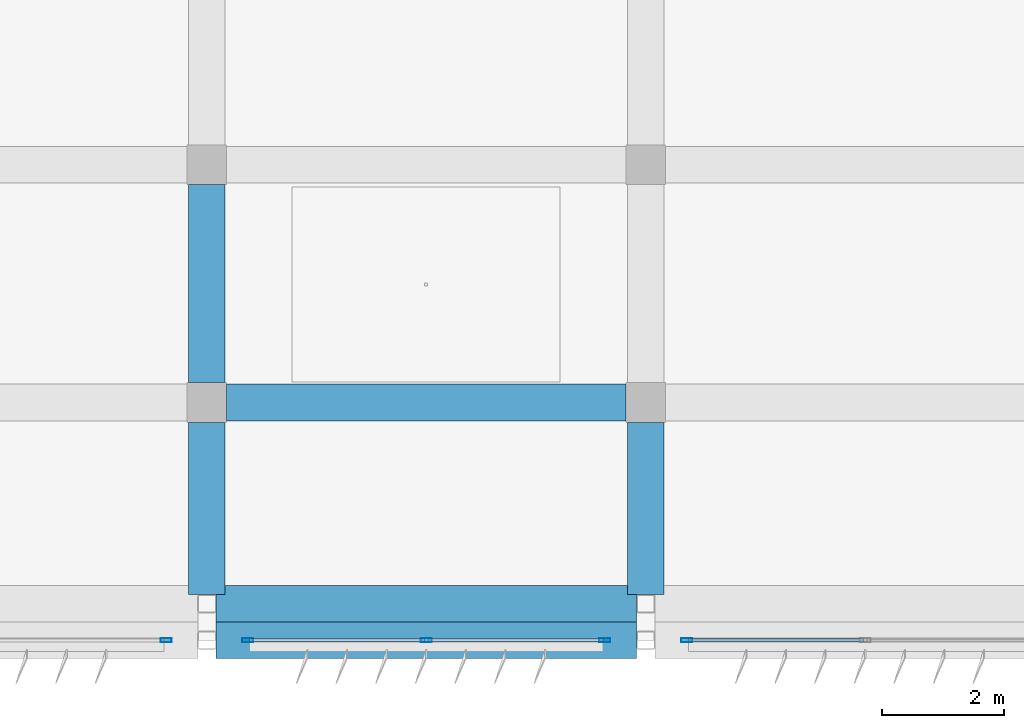
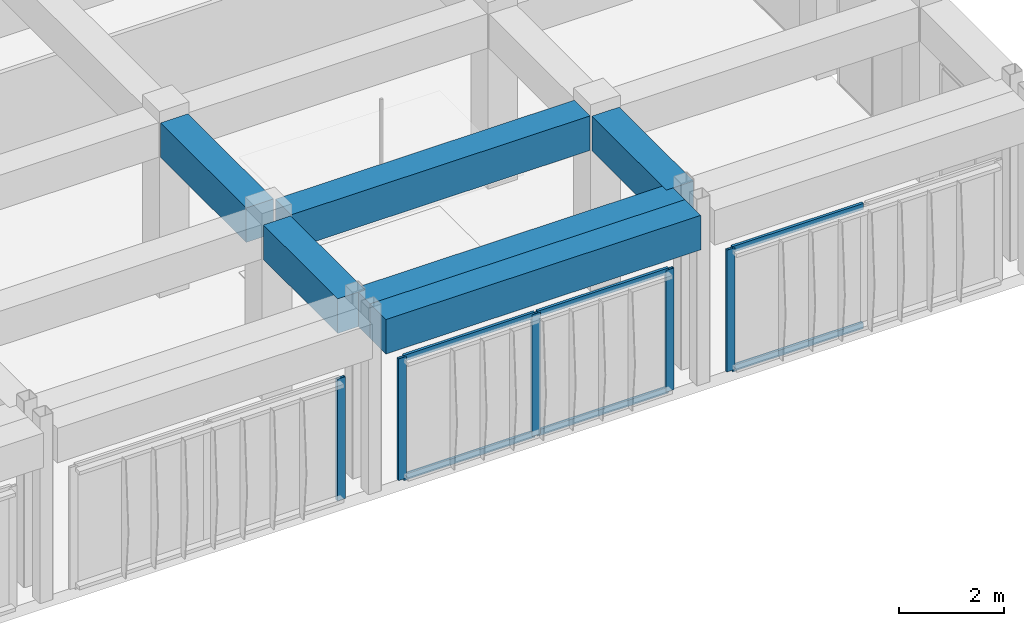
# One storey, part 20 of 53: 11 members, 6 beams, 3 elements without a shape of their own.
"""IFC4 building model written with IfcOpenShell, lengths in metres."""

from ifc_helpers import new_model, si_unit, direction, frame, origin, origin_2d, place, context, subcontext, project, spatial, rectangle, hollow_rectangle, extrude, material, material_profile, profile_set, type_object, element, aggregate, save


model = new_model("IFC4")

# Units and contexts
model_context = context("Model", 3, precision=1e-05, world=origin(), true_north=direction((0.0, 1.0)))
body_context = subcontext(model_context, "Body", "Model", "MODEL_VIEW")
ifc_project = project(units=[si_unit("LENGTHUNIT", "METRE"), si_unit("AREAUNIT", "SQUARE_METRE"), si_unit("VOLUMEUNIT", "CUBIC_METRE"), si_unit("PLANEANGLEUNIT", "RADIAN"), si_unit("MASSUNIT", "GRAM", prefix="KILO")], contexts=[model_context])

# Site, building, storey
site_placement = place(None, origin())
site = spatial("IfcSite", under=ifc_project, at=site_placement, CompositionType="ELEMENT")
building_placement = place(site_placement, origin())
building = spatial("IfcBuilding", under=site, at=building_placement, Name="Kazehaya Institute of Natural Sciences", CompositionType="ELEMENT")
storey_placement = place(building_placement, frame((0.0, 0.0, 33.300048828125)))
storey = spatial("IfcBuildingStorey", under=building, at=storey_placement, Name="L07", CompositionType="ELEMENT", Elevation=33.300048828125)

# Beams
ifc_material_1 = material(Name="Concrete Fc36", Category="concrete")
ifc_material_profile_1 = material_profile(ifc_material_1, rectangle(XDim=0.60009765625, YDim=0.800048828125, at=origin_2d()), Name="RC-600x800")
ifc_profile_set_1 = profile_set([ifc_material_profile_1], Name="Concrete Fc36")
beam_type = type_object("IfcBeamType", Name="BM-G-600x800", PredefinedType="BEAM", material=ifc_profile_set_1)
for number, where, z_axis, x_axis, name in (
    (1, (105.14990234375, 6.199951171875, 3.64990234375), (1.0, 0.0, 0.0), (0.0, 1.0, 0.0), "L07 primary X girder BMX-L07-1050-62"),
    (2, (105.14990234375, 6.800048828125, 3.64990234375), (1.0, 0.0, 0.0), (0.0, 1.0, 0.0), "L07 primary X girder BMX-L07-1050-68"),
):
    element("IfcBeam", number, at=place(storey_placement, frame(where, z_axis=z_axis, x_axis=x_axis)), inside=storey, type_object=beam_type, Name=name, PredefinedType="BEAM", context=body_context, shape_type="SweptSolid", body=[
        extrude(rectangle(XDim=0.60009765625, YDim=0.800048828125, at=origin_2d()), origin(), (0.0, 0.0, 1.0), 6.900146484375),
    ])
beam_1_placement = place(storey_placement, frame((105.324951171875, 10.10009765625, 3.64990234375), z_axis=(1.0, 0.0, 0.0), x_axis=(0.0, 1.0, 0.0)))
element("IfcBeam", 3, at=beam_1_placement, inside=storey, type_object=beam_type, Name="L07 primary X girder BMX-L07-1050-101", PredefinedType="BEAM", context=body_context, shape_type="SweptSolid", body=[
    extrude(rectangle(XDim=0.60009765625, YDim=0.800048828125, at=origin_2d()), origin(), (0.0, 0.0, 1.0), 6.550048828125),
])
beam_2_placement = place(storey_placement, frame((105.0, 6.949951171875, 3.64990234375), z_axis=(0.0, 1.0, 0.0), x_axis=(-1.0, 0.0, 0.0)))
element("IfcBeam", 4, at=beam_2_placement, inside=storey, type_object=beam_type, Name="L07 primary Y girder BMY-L07-1050-68", PredefinedType="BEAM", context=body_context, shape_type="SweptSolid", body=[
    extrude(rectangle(XDim=0.60009765625, YDim=0.800048828125, at=origin_2d()), origin(), (0.0, 0.0, 1.0), 2.824951171875),
])
beam_3_placement = place(storey_placement, frame((105.0, 10.425048828125, 3.64990234375), z_axis=(0.0, 1.0, 0.0), x_axis=(-1.0, 0.0, 0.0)))
element("IfcBeam", 5, at=beam_3_placement, inside=storey, type_object=beam_type, Name="L07 primary Y girder BMY-L07-1050-101", PredefinedType="BEAM", context=body_context, shape_type="SweptSolid", body=[
    extrude(rectangle(XDim=0.60009765625, YDim=0.800048828125, at=origin_2d()), origin(), (0.0, 0.0, 1.0), 3.25),
])
beam_4_placement = place(storey_placement, frame((112.199951171875, 6.949951171875, 3.64990234375), z_axis=(0.0, 1.0, 0.0), x_axis=(-1.0, 0.0, 0.0)))
element("IfcBeam", 6, at=beam_4_placement, inside=storey, type_object=beam_type, Name="L07 primary Y girder BMY-L07-1122-68", PredefinedType="BEAM", context=body_context, shape_type="SweptSolid", body=[
    extrude(rectangle(XDim=0.60009765625, YDim=0.800048828125, at=origin_2d()), origin(), (0.0, 0.0, 1.0), 2.824951171875),
])

# Curtain wall, member
ifc_material_2 = material(Name="Aluminium alloy A6063S-T5", Category="aluminium")
curtain_wall_type = type_object("IfcCurtainWallType", Name="CW-SYS-05", PredefinedType="NOTDEFINED", material=ifc_material_2)
curtain_wall_1_placement = place(storey_placement, origin())
curtain_wall_1 = element("IfcCurtainWall", 7, at=curtain_wall_1_placement, inside=storey, type_object=curtain_wall_type, Name="L07 unitised curtain wall CW-L07-148", PredefinedType="NOTDEFINED")
ifc_material_profile_2 = material_profile(ifc_material_2, hollow_rectangle(XDim=0.06005859375, YDim=0.179931640625, WallThickness=0.00390625, at=origin_2d()), Name="ALU-60x180x4")
ifc_profile_set_2 = profile_set([ifc_material_profile_2], Name="Aluminium alloy A6063S-T5")
member_type_1 = type_object("IfcMemberType", Name="CWM-180", PredefinedType="MULLION", material=ifc_profile_set_2)
member_1_placement = place(storey_placement, frame((112.8701171875, 6.199951171875, 0.0), z_axis=(0.0, 0.0, 1.0), x_axis=(0.0, -1.0, 0.0)))
member_1 = element("IfcMember", 8, at=member_1_placement, type_object=member_type_1, Name="CW05 mullion 3", PredefinedType="MULLION", context=body_context, shape_type="SweptSolid", body=[
    extrude(hollow_rectangle(XDim=0.06005859375, YDim=0.179931640625, WallThickness=0.00390625, at=origin_2d()), origin(), (0.0, 0.0, 1.0), 2.820068359375),
])

# Curtain wall, members
curtain_wall_2_placement = place(storey_placement, origin())
curtain_wall_2 = element("IfcCurtainWall", 9, at=curtain_wall_2_placement, inside=storey, type_object=curtain_wall_type, Name="L07 unitised curtain wall CW-L07-149", PredefinedType="NOTDEFINED")
member_2_placement = place(storey_placement, frame((111.530029296875, 6.199951171875, 0.0), z_axis=(0.0, 0.0, 1.0), x_axis=(0.0, -1.0, 0.0)))
member_2 = element("IfcMember", 10, at=member_2_placement, type_object=member_type_1, Name="CW05 mullion 1", PredefinedType="MULLION", context=body_context, shape_type="SweptSolid", body=[
    extrude(hollow_rectangle(XDim=0.06005859375, YDim=0.179931640625, WallThickness=0.00390625, at=origin_2d()), origin(), (0.0, 0.0, 1.0), 2.820068359375),
])
member_3_placement = place(storey_placement, frame((108.60009765625, 6.199951171875, 0.0), z_axis=(0.0, 0.0, 1.0), x_axis=(0.0, -1.0, 0.0)))
member_3 = element("IfcMember", 11, at=member_3_placement, type_object=member_type_1, Name="CW05 mullion 2", PredefinedType="MULLION", context=body_context, shape_type="SweptSolid", body=[
    extrude(hollow_rectangle(XDim=0.06005859375, YDim=0.179931640625, WallThickness=0.00390625, at=origin_2d()), origin(), (0.0, 0.0, 1.0), 2.820068359375),
])
member_4_placement = place(storey_placement, frame((105.669921875, 6.199951171875, 0.0), z_axis=(0.0, 0.0, 1.0), x_axis=(0.0, -1.0, 0.0)))
member_4 = element("IfcMember", 12, at=member_4_placement, type_object=member_type_1, Name="CW05 mullion 3", PredefinedType="MULLION", context=body_context, shape_type="SweptSolid", body=[
    extrude(hollow_rectangle(XDim=0.06005859375, YDim=0.179931640625, WallThickness=0.00390625, at=origin_2d()), origin(), (0.0, 0.0, 1.0), 2.820068359375),
])

# Curtain wall, member
curtain_wall_3_placement = place(storey_placement, origin())
curtain_wall_3 = element("IfcCurtainWall", 13, at=curtain_wall_3_placement, inside=storey, type_object=curtain_wall_type, Name="L07 unitised curtain wall CW-L07-150", PredefinedType="NOTDEFINED")
member_5_placement = place(storey_placement, frame((104.330078125, 6.199951171875, 0.0), z_axis=(0.0, 0.0, 1.0), x_axis=(0.0, -1.0, 0.0)))
member_5 = element("IfcMember", 14, at=member_5_placement, type_object=member_type_1, Name="CW05 mullion 1", PredefinedType="MULLION", context=body_context, shape_type="SweptSolid", body=[
    extrude(hollow_rectangle(XDim=0.06005859375, YDim=0.179931640625, WallThickness=0.00390625, at=origin_2d()), origin(), (0.0, 0.0, 1.0), 2.820068359375),
])
aggregate(curtain_wall_3, [member_5])

# Member
ifc_material_profile_3 = material_profile(ifc_material_2, hollow_rectangle(XDim=0.06005859375, YDim=0.139892578125, WallThickness=0.00341796875, at=origin_2d()), Name="ALU-60x140x3.5")
ifc_profile_set_3 = profile_set([ifc_material_profile_3], Name="Aluminium alloy A6063S-T5")
member_type_2 = type_object("IfcMemberType", Name="CWT-140", PredefinedType="USERDEFINED", material=ifc_profile_set_3)
member_6_placement = place(storey_placement, frame((115.77001953125, 6.199951171875, 0.030029296875), z_axis=(-1.0, 0.0, 0.0), x_axis=(0.0, -1.0, 0.0)))
member_6 = element("IfcMember", 15, at=member_6_placement, type_object=member_type_2, Name="CW05 transom 2.1", ObjectType="TRANSOM", PredefinedType="USERDEFINED", context=body_context, shape_type="SweptSolid", body=[
    extrude(hollow_rectangle(XDim=0.06005859375, YDim=0.139892578125, WallThickness=0.00341796875, at=origin_2d()), origin(), (0.0, 0.0, 1.0), 2.8701171875),
])

member_7_placement = place(storey_placement, frame((115.77001953125, 6.199951171875, 2.7900390625), z_axis=(-1.0, 0.0, 0.0), x_axis=(0.0, -1.0, 0.0)))
member_7 = element("IfcMember", 16, at=member_7_placement, type_object=member_type_2, Name="CW05 transom 2.2", ObjectType="TRANSOM", PredefinedType="USERDEFINED", context=body_context, shape_type="SweptSolid", body=[
    extrude(hollow_rectangle(XDim=0.06005859375, YDim=0.139892578125, WallThickness=0.00341796875, at=origin_2d()), origin(), (0.0, 0.0, 1.0), 2.8701171875),
])

aggregate(curtain_wall_1, [member_1, member_6, member_7])

member_8_placement = place(storey_placement, frame((111.5, 6.199951171875, 0.030029296875), z_axis=(-1.0, 0.0, 0.0), x_axis=(0.0, -1.0, 0.0)))
member_8 = element("IfcMember", 17, at=member_8_placement, type_object=member_type_2, Name="CW05 transom 1.1", ObjectType="TRANSOM", PredefinedType="USERDEFINED", context=body_context, shape_type="SweptSolid", body=[
    extrude(hollow_rectangle(XDim=0.06005859375, YDim=0.139892578125, WallThickness=0.00341796875, at=origin_2d()), origin(), (0.0, 0.0, 1.0), 2.8701171875),
])

member_9_placement = place(storey_placement, frame((111.5, 6.199951171875, 2.7900390625), z_axis=(-1.0, 0.0, 0.0), x_axis=(0.0, -1.0, 0.0)))
member_9 = element("IfcMember", 18, at=member_9_placement, type_object=member_type_2, Name="CW05 transom 1.2", ObjectType="TRANSOM", PredefinedType="USERDEFINED", context=body_context, shape_type="SweptSolid", body=[
    extrude(hollow_rectangle(XDim=0.06005859375, YDim=0.139892578125, WallThickness=0.00341796875, at=origin_2d()), origin(), (0.0, 0.0, 1.0), 2.8701171875),
])

member_10_placement = place(storey_placement, frame((108.570068359375, 6.199951171875, 0.030029296875), z_axis=(-1.0, 0.0, 0.0), x_axis=(0.0, -1.0, 0.0)))
member_10 = element("IfcMember", 19, at=member_10_placement, type_object=member_type_2, Name="CW05 transom 2.1", ObjectType="TRANSOM", PredefinedType="USERDEFINED", context=body_context, shape_type="SweptSolid", body=[
    extrude(hollow_rectangle(XDim=0.06005859375, YDim=0.139892578125, WallThickness=0.00341796875, at=origin_2d()), origin(), (0.0, 0.0, 1.0), 2.8701171875),
])

member_11_placement = place(storey_placement, frame((108.570068359375, 6.199951171875, 2.7900390625), z_axis=(-1.0, 0.0, 0.0), x_axis=(0.0, -1.0, 0.0)))
member_11 = element("IfcMember", 20, at=member_11_placement, type_object=member_type_2, Name="CW05 transom 2.2", ObjectType="TRANSOM", PredefinedType="USERDEFINED", context=body_context, shape_type="SweptSolid", body=[
    extrude(hollow_rectangle(XDim=0.06005859375, YDim=0.139892578125, WallThickness=0.00341796875, at=origin_2d()), origin(), (0.0, 0.0, 1.0), 2.8701171875),
])

aggregate(curtain_wall_2, [member_2, member_3, member_4, member_8, member_9, member_10, member_11])

save(model, "model.ifc")
